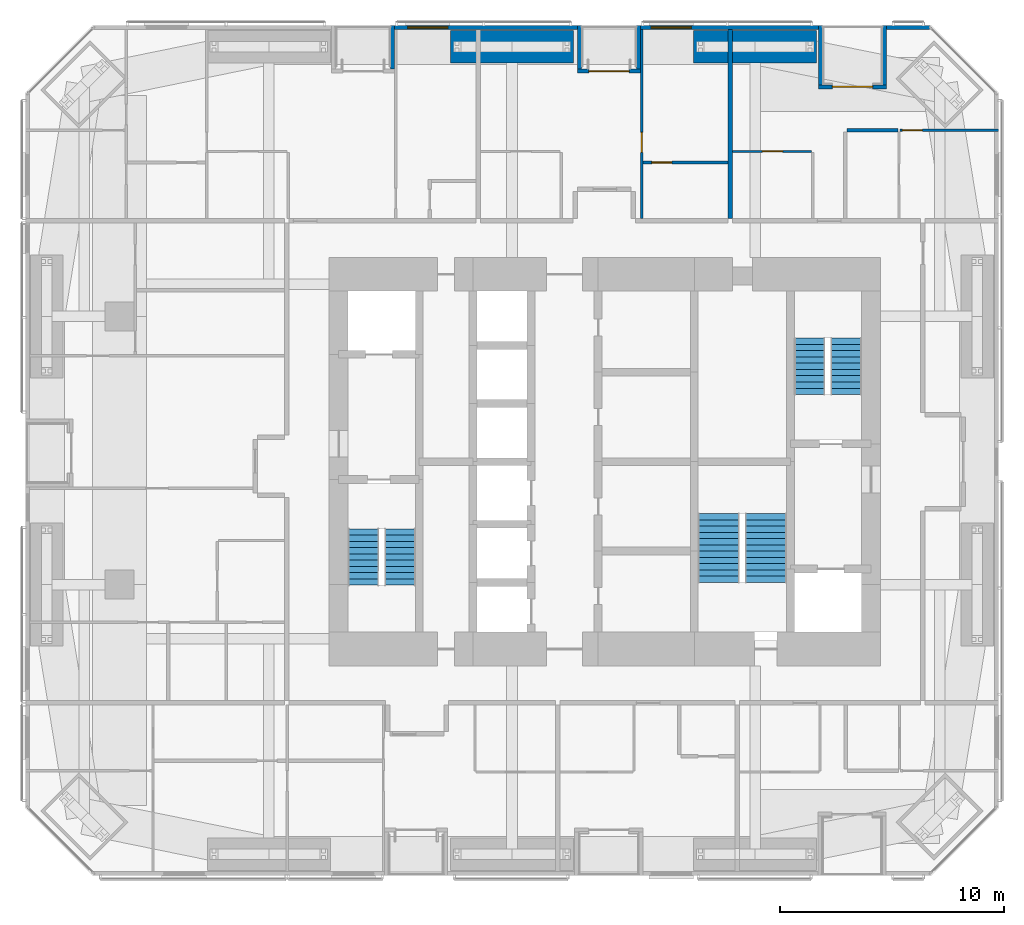
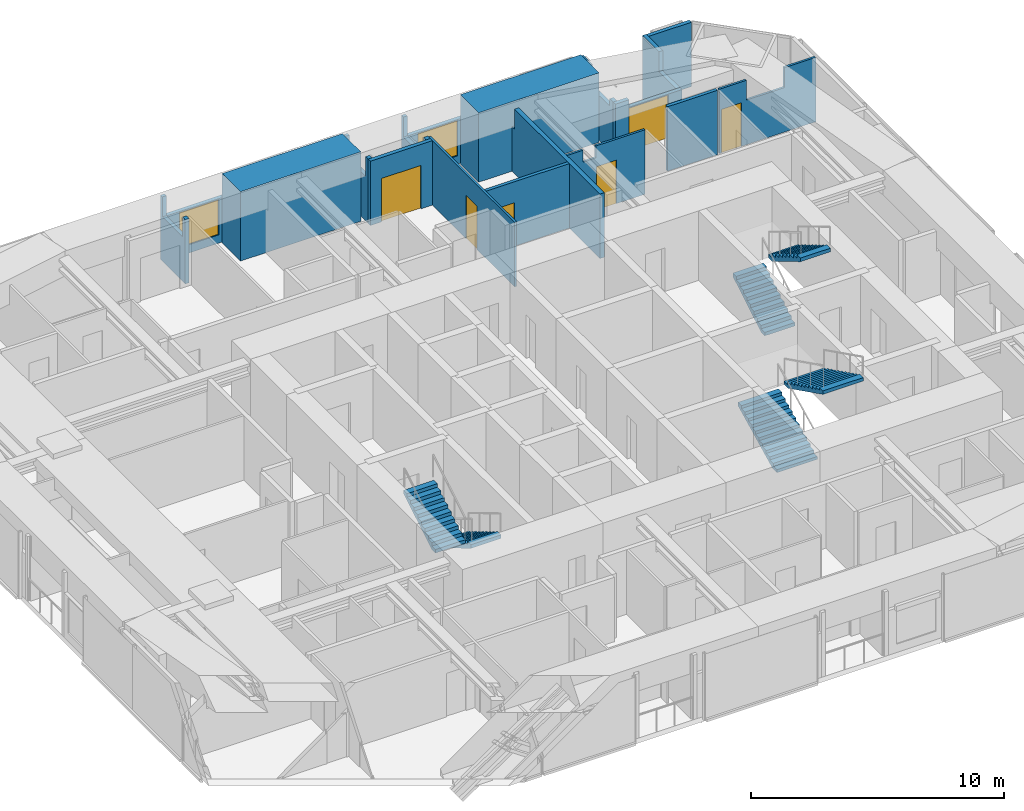
# One storey, part 22 of 23: 19 walls, 6 doors, 6 stair flights, 2 windows, 8 openings, 3 elements without a shape of their own.
"""IFC4 building model written with IfcOpenShell, lengths in metres."""

import ifcopenshell
import ifcopenshell.guid

model = None  # the IFC model being written
_history = None  # IfcOwnerHistory: only IFC2X3 demands one
_inside = {}  # id of a spatial element -> (the spatial element, [elements in it])
_under = {}  # id of a project, library or spatial element -> (it, [spatial elements below it])
_declared = {}  # id of a project -> (the project, [libraries it declares])
_typed = {}  # id of a type object -> (the type object, [elements of that type])
_made_of = {}  # id of a material, layer set ... -> (it, [elements and type objects made of it])


def new_model(schema):
    """Start an empty IFC model of exactly this schema.

    Asked for "IFC4X3", IfcOpenShell would pick the latest addendum, in which some entities
    have other attributes; the version numbers below select the first issue.
    IFC2X3 requires an IfcOwnerHistory on every rooted entity: one is made here for all.
    """
    global model, _history
    if schema == "IFC4X3":
        model = ifcopenshell.file(schema_version=(4, 3, 0, 0))
    else:
        model = ifcopenshell.file(schema=schema)
    _inside.clear()
    _under.clear()
    _declared.clear()
    _typed.clear()
    _made_of.clear()
    _history = None
    if model.schema == "IFC2X3":
        org = make("IfcOrganization", Name="unknown")
        user = make(
            "IfcPersonAndOrganization",
            ThePerson=make("IfcPerson", FamilyName="unknown"),
            TheOrganization=org,
        )
        app = make(
            "IfcApplication",
            ApplicationDeveloper=org,
            Version="unknown",
            ApplicationFullName="unknown",
            ApplicationIdentifier="unknown",
        )
        _history = make(
            "IfcOwnerHistory",
            OwningUser=user,
            OwningApplication=app,
            ChangeAction="ADDED",
            CreationDate=0,
        )
    return model


def make(cls, **values):
    """One entity of the class cls with the attributes given. An attribute that is None is left unset."""
    return model.create_entity(
        cls, **{name: value for name, value in values.items() if value is not None}
    )


def rooted(cls, **values):
    """An entity with a GlobalId (a new one), such as an element, a storey or a relation."""
    return make(cls, GlobalId=ifcopenshell.guid.new(), OwnerHistory=_history, **values)


def si_unit(unit_type, name, prefix=None):
    """IfcSIUnit, for example si_unit("LENGTHUNIT", "METRE", prefix="MILLI")."""
    return make("IfcSIUnit", UnitType=unit_type, Prefix=prefix, Name=name)


def assignment(units):
    """IfcUnitAssignment: the units of a project."""
    return None if units is None else make("IfcUnitAssignment", Units=units)


def point(xyz):
    """IfcCartesianPoint."""
    return None if xyz is None else make("IfcCartesianPoint", Coordinates=xyz)


def direction(xyz):
    """IfcDirection."""
    return None if xyz is None else make("IfcDirection", DirectionRatios=xyz)


def frame(location, z_axis=None, x_axis=None):
    """IfcAxis2Placement3D, a coordinate frame: its origin and axes. An axis left out is left unset."""
    return make(
        "IfcAxis2Placement3D",
        Location=point(location),
        Axis=direction(z_axis),
        RefDirection=direction(x_axis),
    )


def frame_2d(location, x_axis=None):
    """IfcAxis2Placement2D, a coordinate frame in the plane: its origin and x axis."""
    return make(
        "IfcAxis2Placement2D", Location=point(location), RefDirection=direction(x_axis)
    )


def origin():
    """The frame at (0, 0, 0) with its axes left unset."""
    return frame((0.0, 0.0, 0.0))


def place(relative_to, where):
    """IfcLocalPlacement: puts the frame where relative to a parent placement (None: the world)."""
    return make(
        "IfcLocalPlacement", PlacementRelTo=relative_to, RelativePlacement=where
    )


def context(
    kind, dimensions, precision=None, world=None, true_north=None, identifier=None
):
    """IfcGeometricRepresentationContext, for example the 3D "Model" context."""
    return make(
        "IfcGeometricRepresentationContext",
        ContextIdentifier=identifier,
        ContextType=kind,
        CoordinateSpaceDimension=dimensions,
        Precision=precision,
        WorldCoordinateSystem=world,
        TrueNorth=true_north,
    )


def subcontext(parent, identifier, kind, view, scale=None):
    """IfcGeometricRepresentationSubContext, for example "Body" below "Model"."""
    return make(
        "IfcGeometricRepresentationSubContext",
        ContextIdentifier=identifier,
        ContextType=kind,
        ParentContext=parent,
        TargetScale=scale,
        TargetView=view,
    )


def project(units=None, contexts=None):
    """IfcProject with its units and contexts."""
    return rooted(
        "IfcProject",
        Name="project",
        RepresentationContexts=contexts,
        UnitsInContext=assignment(units),
    )


def spatial(cls, under=None, at=None, **own):
    """A site, building, storey or space (cls), placed at a placement, below another one or the project."""
    s = rooted(cls, ObjectPlacement=at, **own)
    if under is not None:
        _under.setdefault(under.id(), (under, []))[1].append(s)
    return s


def polyline(points):
    """IfcPolyline through the points."""
    return make("IfcPolyline", Points=[point(p) for p in points])


def profile(cls, at=None, kind="AREA", **sizes):
    """A parametric profile (cls). Its sizes go by their IFC names, for example OverallWidth=200.0."""
    return make(cls, ProfileType=kind, Position=at, **sizes)


def rectangle(**sizes):
    """IfcRectangleProfileDef."""
    return profile("IfcRectangleProfileDef", **sizes)


def outline(outer, holes=None, kind="AREA"):
    """IfcArbitraryClosedProfileDef: a profile drawn as a closed curve; with holes, ...WithVoids."""
    if holes is None:
        return make("IfcArbitraryClosedProfileDef", ProfileType=kind, OuterCurve=outer)
    return make(
        "IfcArbitraryProfileDefWithVoids",
        ProfileType=kind,
        OuterCurve=outer,
        InnerCurves=holes,
    )


def extrude(swept, where, along, depth):
    """IfcExtrudedAreaSolid: the profile swept, set in the frame where, extruded along a direction by depth."""
    return make(
        "IfcExtrudedAreaSolid",
        SweptArea=swept,
        Position=where,
        ExtrudedDirection=direction(along),
        Depth=depth,
    )


def shape(context_of_items, identifier, shape_type, items):
    """IfcShapeRepresentation: the items that make up one representation, for example the "Body"."""
    return make(
        "IfcShapeRepresentation",
        ContextOfItems=context_of_items,
        RepresentationIdentifier=identifier,
        RepresentationType=shape_type,
        Items=items,
    )


def material(Name=None, Category=None):
    """IfcMaterial."""
    return make("IfcMaterial", Name=Name, Category=Category)


def layer(
    of_material, thickness, ventilated=None, Name=None, Category=None, Priority=None
):
    """IfcMaterialLayer: one layer of a wall or slab, of a material (None: an air gap)."""
    return make(
        "IfcMaterialLayer",
        Material=of_material,
        LayerThickness=thickness,
        IsVentilated=ventilated,
        Name=Name,
        Category=Category,
        Priority=Priority,
    )


def layer_set(layers, Name=None):
    """IfcMaterialLayerSet."""
    return make("IfcMaterialLayerSet", MaterialLayers=layers, LayerSetName=Name)


def constituent(of_material, Name=None, Category=None, fraction=None):
    """IfcMaterialConstituent: one of the materials an element consists of."""
    return make(
        "IfcMaterialConstituent",
        Name=Name,
        Material=of_material,
        Fraction=fraction,
        Category=Category,
    )


def constituent_set(constituents=None, Name=None):
    """IfcMaterialConstituentSet."""
    return make(
        "IfcMaterialConstituentSet", Name=Name, MaterialConstituents=constituents
    )


def made_of(thing, what):
    """Note that an element or type object is made of a material, layer set ...; save() writes the relation."""
    if what is not None:
        _made_of.setdefault(what.id(), (what, []))[1].append(thing)
    return thing


def type_object(cls, material=None, **own):
    """A type object (cls), such as IfcWallType, which elements share."""
    return made_of(rooted(cls, **own), material)


def element(
    cls,
    number,
    at=None,
    inside=None,
    cuts=None,
    type_object=None,
    material=None,
    context=None,
    identifier="Body",
    shape_type=None,
    held_by="IfcProductDefinitionShape",
    body=None,
    shapes=None,
    **own,
):
    """One element of the class cls, such as IfcWall. Its Tag is "e" and its number.

    at: its placement. inside: the storey or other place that contains it. cuts: it is an
    opening in that element (IfcRelVoidsElement). A single representation is given by context,
    identifier, shape_type and body (its items); several are given by shapes. held_by: the class
    of the entity that holds the representations. save() writes the other relations.
    """
    e = rooted(cls, Tag="e%d" % number, ObjectPlacement=at, **own)
    if body is not None:
        shapes = [shape(context, identifier, shape_type, body)]
    if shapes is not None:
        e.Representation = make(held_by, Representations=shapes)
    if inside is not None:
        _inside.setdefault(inside.id(), (inside, []))[1].append(e)
    if cuts is not None:
        rooted(
            "IfcRelVoidsElement", RelatingBuildingElement=cuts, RelatedOpeningElement=e
        )
    if type_object is not None:
        _typed.setdefault(type_object.id(), (type_object, []))[1].append(e)
    return made_of(e, material)


def fill(opening, filler):
    """IfcRelFillsElement: the door or window that sits in an opening."""
    return rooted(
        "IfcRelFillsElement",
        RelatingOpeningElement=opening,
        RelatedBuildingElement=filler,
    )


def aggregate(whole, parts):
    """IfcRelAggregates: a whole, such as a stair, and the parts it consists of."""
    return rooted("IfcRelAggregates", RelatingObject=whole, RelatedObjects=parts)


def save(model, path):
    """Write the relations noted so far, then the file.

    IfcRelAggregates (storeys below a building ...), IfcRelContainedInSpatialStructure (elements
    in a storey), IfcRelDefinesByType, IfcRelAssociatesMaterial and IfcRelDeclares: one each for
    every whole, place, type object, material and project.
    """
    for whole, parts in _under.values():
        aggregate(whole, parts)
    for where, things in _inside.values():
        rooted(
            "IfcRelContainedInSpatialStructure",
            RelatedElements=things,
            RelatingStructure=where,
        )
    for kind, things in _typed.values():
        rooted("IfcRelDefinesByType", RelatedObjects=things, RelatingType=kind)
    for what, things in _made_of.values():
        rooted("IfcRelAssociatesMaterial", RelatedObjects=things, RelatingMaterial=what)
    for by, libraries in _declared.values():
        rooted("IfcRelDeclares", RelatingContext=by, RelatedDefinitions=libraries)
    model.write(path)


model = new_model("IFC4")

# Units and contexts
model_context = context("Model", 3, precision=1e-05, world=origin(), true_north=direction((0.0, 1.0)))
body_context = subcontext(model_context, "Body", "Model", "MODEL_VIEW")
ifc_project = project(units=[si_unit("LENGTHUNIT", "METRE"), si_unit("AREAUNIT", "SQUARE_METRE"), si_unit("VOLUMEUNIT", "CUBIC_METRE"), si_unit("PLANEANGLEUNIT", "RADIAN"), si_unit("MASSUNIT", "GRAM", prefix="KILO")], contexts=[model_context])

# Site, building, storey
site_placement = place(None, origin())
site = spatial("IfcSite", under=ifc_project, at=site_placement, CompositionType="ELEMENT")
building_placement = place(site_placement, origin())
building = spatial("IfcBuilding", under=site, at=building_placement, Name="Jalousie Tower", CompositionType="ELEMENT")
storey_placement = place(building_placement, frame((0.0, 0.0, 88.10009765625)))
storey = spatial("IfcBuildingStorey", under=building, at=storey_placement, Name="L23", CompositionType="ELEMENT", Elevation=88.10009765625)

# Wall, opening, door
ifc_material_1 = material(Name="Concrete block ASTM C90", Category="concrete")
ifc_constituent_1 = constituent(ifc_material_1, Name="Body")
ifc_material_2 = material(Name="Render")
ifc_constituent_2 = constituent(ifc_material_2, Name="Finish")
ifc_constituent_set_1 = constituent_set(constituents=[ifc_constituent_1, ifc_constituent_2])
wall_type_1 = type_object("IfcWallType", Name="BATHROOM WALL 150", PredefinedType="PLUMBINGWALL", material=ifc_constituent_set_1)
wall_1_placement = place(storey_placement, frame((33.60009765625, 31.875, 0.0), z_axis=(0.0, 0.0, 1.0), x_axis=(1.0, 0.0, 0.0)))
wall_1 = element("IfcWall", 1, at=wall_1_placement, inside=storey, type_object=wall_type_1, Name="Bathroom Wall 150 L23", PredefinedType="PLUMBINGWALL", context=body_context, shape_type="SweptSolid", body=[
    extrude(rectangle(XDim=3.7998046875, YDim=0.14990234375, at=frame_2d((1.89990234375, 0.0))), origin(), (0.0, 0.0, 1.0), 3.10986328125),
])
opening_1_placement = place(wall_1_placement, frame((0.39990234375, 0.0, 0.0)))
opening_1 = element("IfcOpeningElement", 2, at=opening_1_placement, cuts=wall_1, Name="Opening D3", PredefinedType="OPENING", context=body_context, shape_type="SweptSolid", body=[
    extrude(rectangle(XDim=0.89990234375, YDim=2.10009765625, at=frame_2d((0.449951171875, 1.050048828125))), frame((0.0, 0.0849609375, 0.0), z_axis=(0.0, -1.0, 0.0), x_axis=(1.0, 0.0, 0.0)), (0.0, 0.0, 1.0), 0.169921875),
])
ifc_material_3 = material(Name="Timber door", Category="wood")
door_type_1 = type_object("IfcDoorType", Name="BATHROOM DOOR 900", OperationType="SINGLE_SWING_LEFT", PredefinedType="DOOR", material=ifc_material_3)
door_1_placement = place(opening_1_placement, frame((0.89990234375, 0.0, 0.0), z_axis=(0.0, 0.0, 1.0), x_axis=(-1.0, 0.0, 0.0)))
door_1 = element("IfcDoor", 3, at=door_1_placement, inside=storey, type_object=door_type_1, Name="Apartment 2305 bedroom 1 bathroom door", OperationType="SINGLE_SWING_RIGHT", OverallHeight=2.10009765625, OverallWidth=0.89990234375, PredefinedType="DOOR", context=body_context, shape_type="SweptSolid", body=[
    extrude(rectangle(XDim=0.89990234375, YDim=2.10009765625, at=frame_2d((0.449951171875, 1.050048828125))), frame((0.0, 0.02490234375, 0.0), z_axis=(0.0, -1.0, 0.0), x_axis=(1.0, 0.0, 0.0)), (0.0, 0.0, 1.0), 0.050048828125),
])
fill(opening_1, door_1)

# Walls
wall_2_placement = place(storey_placement, frame((42.72509765625, 33.32421875, 0.0), z_axis=(0.0, 0.0, 1.0), x_axis=(1.0, 0.0, 0.0)))
element("IfcWall", 4, at=wall_2_placement, inside=storey, type_object=wall_type_1, Name="Bathroom Wall 150 L23", PredefinedType="PLUMBINGWALL", context=body_context, shape_type="SweptSolid", body=[
    extrude(rectangle(XDim=2.27490234375, YDim=0.14990234375, at=frame_2d((1.137451171875, 0.0))), origin(), (0.0, 0.0, 1.0), 3.10986328125),
])
ifc_material_4 = material(Name="Concrete f'c 40 MPa", Category="concrete")
ifc_constituent_3 = constituent(ifc_material_4, Name="Body")
ifc_material_5 = material(Name="Render, pastel sea green")
ifc_constituent_4 = constituent(ifc_material_5, Name="Finish")
ifc_constituent_set_2 = constituent_set(constituents=[ifc_constituent_3, ifc_constituent_4])
wall_type_2 = type_object("IfcWallType", Name="EXTERNAL WALL 175 SEA GREEN RENDER", PredefinedType="SOLIDWALL", material=ifc_constituent_set_2)
wall_3_placement = place(storey_placement, frame((46.44873046875, 37.91259765625, 0.0), z_axis=(0.0, 0.0, 1.0), x_axis=(-1.0, 0.0, 0.0)))
element("IfcWall", 5, at=wall_3_placement, inside=storey, type_object=wall_type_2, Name="External Wall 175 Sea Green Render L23", PredefinedType="SOLIDWALL", context=body_context, shape_type="SweptSolid", body=[
    extrude(rectangle(XDim=1.949951171875, YDim=0.175048828125, at=frame_2d((0.97509765625, 0.0))), origin(), (0.0, 0.0, 1.0), 3.10986328125),
])

# Wall, opening, window
wall_4_placement = place(storey_placement, frame((41.44873046875, 37.91259765625, 0.0), z_axis=(0.0, 0.0, 1.0), x_axis=(-1.0, 0.0, 0.0)))
wall_4 = element("IfcWall", 6, at=wall_4_placement, inside=storey, type_object=wall_type_2, Name="External Wall 175 Sea Green Render L23", PredefinedType="SOLIDWALL", context=body_context, shape_type="SweptSolid", body=[
    extrude(outline(polyline([(0.0, 0.0), (7.94873046875, 0.0), (7.94873046875, 2.14990234375), (2.82373046875, 2.14990234375), (2.82373046875, 3.10986328125), (2.66552734375, 3.10986328125), (2.66552734375, 2.14990234375), (2.620361328125, 2.14990234375), (2.620361328125, 3.10986328125), (0.0, 3.10986328125), (0.0, 0.0)])), frame((0.0, 0.08740234375, 0.0), z_axis=(0.0, -1.0, 0.0), x_axis=(1.0, 0.0, 0.0)), (0.0, 0.0, 1.0), 0.175048828125),
])
opening_2_placement = place(wall_4_placement, frame((5.673583984375, 0.0, 0.39990234375)))
opening_2 = element("IfcOpeningElement", 7, at=opening_2_placement, cuts=wall_4, Name="Opening W-BED170", PredefinedType="OPENING", context=body_context, shape_type="SweptSolid", body=[
    extrude(rectangle(XDim=1.800048828125, YDim=1.699951171875, at=frame_2d((0.89990234375, 0.85009765625))), frame((0.0, 0.097412109375, 0.0), z_axis=(0.0, -1.0, 0.0), x_axis=(1.0, 0.0, 0.0)), (0.0, 0.0, 1.0), 0.195068359375),
])
ifc_material_6 = material(Name="Aluminium frame, impact-rated glazing", Category="aluminium")
window_type = type_object("IfcWindowType", Name="WINDOW BED 1800x1700", PartitioningType="SINGLE_PANEL", PredefinedType="WINDOW", material=ifc_material_6)
window_1_placement = place(opening_2_placement, origin())
window_1 = element("IfcWindow", 8, at=window_1_placement, inside=storey, type_object=window_type, Name="Apartment 2305 bedroom 1 window", OverallHeight=1.699951171875, OverallWidth=1.800048828125, PartitioningType="SINGLE_PANEL", PredefinedType="WINDOW", context=body_context, shape_type="SweptSolid", body=[
    extrude(rectangle(XDim=1.800048828125, YDim=1.699951171875, at=frame_2d((0.89990234375, 0.85009765625))), frame((0.0, 0.030029296875, 0.0), z_axis=(0.0, -1.0, 0.0), x_axis=(1.0, 0.0, 0.0)), (0.0, 0.0, 1.0), 0.06005859375),
])
fill(opening_2, window_1)

wall_5_placement = place(storey_placement, frame((30.675048828125, 37.91259765625, 0.0), z_axis=(0.0, 0.0, 1.0), x_axis=(-1.0, 0.0, 0.0)))
wall_5 = element("IfcWall", 9, at=wall_5_placement, inside=storey, type_object=wall_type_2, Name="External Wall 175 Sea Green Render L23", PredefinedType="SOLIDWALL", context=body_context, shape_type="SweptSolid", body=[
    extrude(rectangle(XDim=8.175048828125, YDim=0.175048828125, at=frame_2d((4.08740234375, 0.0))), origin(), (0.0, 0.0, 1.0), 2.14990234375),
])
opening_3_placement = place(wall_5_placement, frame((5.793701171875, 0.0, 0.39990234375)))
opening_3 = element("IfcOpeningElement", 10, at=opening_3_placement, cuts=wall_5, Name="Opening W-BED170", PredefinedType="OPENING", context=body_context, shape_type="SweptSolid", body=[
    extrude(rectangle(XDim=1.800048828125, YDim=1.699951171875, at=frame_2d((0.89990234375, 0.85009765625))), frame((0.0, 0.097412109375, 0.0), z_axis=(0.0, -1.0, 0.0), x_axis=(1.0, 0.0, 0.0)), (0.0, 0.0, 1.0), 0.195068359375),
])
window_2_placement = place(opening_3_placement, origin())
window_2 = element("IfcWindow", 11, at=window_2_placement, inside=storey, type_object=window_type, Name="Apartment 2304 study window", OverallHeight=1.699951171875, OverallWidth=1.800048828125, PartitioningType="SINGLE_PANEL", PredefinedType="WINDOW", context=body_context, shape_type="SweptSolid", body=[
    extrude(rectangle(XDim=1.800048828125, YDim=1.699951171875, at=frame_2d((0.89990234375, 0.85009765625))), frame((0.0, 0.030029296875, 0.0), z_axis=(0.0, -1.0, 0.0), x_axis=(1.0, 0.0, 0.0)), (0.0, 0.0, 1.0), 0.06005859375),
])
fill(opening_3, window_2)

# Wall, opening, door
wall_6_placement = place(storey_placement, frame((44.498779296875, 35.262451171875, 0.0), z_axis=(0.0, 0.0, 1.0), x_axis=(-1.0, 0.0, 0.0)))
wall_6 = element("IfcWall", 12, at=wall_6_placement, inside=storey, type_object=wall_type_2, Name="External Wall 175 Sea Green Render L23-A", PredefinedType="SOLIDWALL", context=body_context, shape_type="SweptSolid", body=[
    extrude(rectangle(XDim=2.425048828125, YDim=0.175048828125, at=frame_2d((1.21240234375, 0.0))), origin(), (0.0, 0.0, 1.0), 2.14990234375),
])
opening_4_placement = place(wall_6_placement, frame((0.625, 0.0, 0.0)))
opening_4 = element("IfcOpeningElement", 13, at=opening_4_placement, cuts=wall_6, Name="Opening D-BAL21", PredefinedType="OPENING", context=body_context, shape_type="SweptSolid", body=[
    extrude(rectangle(XDim=1.800048828125, YDim=2.10009765625, at=frame_2d((0.89990234375, 1.050048828125))), frame((0.0, 0.097412109375, 0.0), z_axis=(0.0, -1.0, 0.0), x_axis=(1.0, 0.0, 0.0)), (0.0, 0.0, 1.0), 0.195068359375),
])
ifc_material_7 = material(Name="Aluminium frame, impact-rated glazing", Category="aluminium")
door_type_2 = type_object("IfcDoorType", Name="BALCONY DOOR 1800x2100", OperationType="SLIDING_TO_LEFT", PredefinedType="DOOR", material=ifc_material_7)
door_2_placement = place(opening_4_placement, origin())
door_2 = element("IfcDoor", 14, at=door_2_placement, inside=storey, type_object=door_type_2, Name="Apartment 2306 living and dining room loggia door", OperationType="SLIDING_TO_LEFT", OverallHeight=2.10009765625, OverallWidth=1.800048828125, PredefinedType="DOOR", context=body_context, shape_type="SweptSolid", body=[
    extrude(rectangle(XDim=1.800048828125, YDim=2.10009765625, at=frame_2d((0.89990234375, 1.050048828125))), frame((0.0, 0.02490234375, 0.0), z_axis=(0.0, -1.0, 0.0), x_axis=(1.0, 0.0, 0.0)), (0.0, 0.0, 1.0), 0.050048828125),
])
fill(opening_4, door_2)

# Walls
wall_7_placement = place(storey_placement, frame((42.07373046875, 35.262451171875, 0.0), z_axis=(0.0, 0.0, 1.0), x_axis=(-1.0, 0.0, 0.0)))
element("IfcWall", 15, at=wall_7_placement, inside=storey, type_object=wall_type_2, Name="External Wall 175 Sea Green Render L23-B", PredefinedType="SOLIDWALL", context=body_context, shape_type="SweptSolid", body=[
    extrude(rectangle(XDim=0.625, YDim=0.175048828125, at=frame_2d((0.3125, 0.0))), origin(), (0.0, 0.0, 1.0), 2.510009765625),
])
wall_8_placement = place(storey_placement, frame((44.4111328125, 38.0, 0.0), z_axis=(0.0, 0.0, 1.0), x_axis=(0.0, -1.0, 0.0)))
element("IfcWall", 16, at=wall_8_placement, inside=storey, type_object=wall_type_2, Name="External Wall 175 Sea Green Render L23", PredefinedType="SOLIDWALL", context=body_context, shape_type="SweptSolid", body=[
    extrude(outline(polyline([(0.0, 0.0), (2.64990234375, 0.0), (2.64990234375, 2.14990234375), (1.2958984375, 2.14990234375), (1.2958984375, 3.10986328125), (0.0, 3.10986328125), (0.0, 0.0)])), frame((0.0, 0.08740234375, 0.0), z_axis=(0.0, -1.0, 0.0), x_axis=(1.0, 0.0, 0.0)), (0.0, 0.0, 1.0), 0.175048828125),
])
wall_9_placement = place(storey_placement, frame((41.5361328125, 38.0, 0.0), z_axis=(0.0, 0.0, 1.0), x_axis=(0.0, -1.0, 0.0)))
element("IfcWall", 17, at=wall_9_placement, inside=storey, type_object=wall_type_2, Name="External Wall 175 Sea Green Render L23", PredefinedType="SOLIDWALL", context=body_context, shape_type="SweptSolid", body=[
    extrude(outline(polyline([(0.0, 0.0), (2.64990234375, 0.0), (2.64990234375, 2.510009765625), (2.378173828125, 2.510009765625), (2.378173828125, 2.14990234375), (0.70947265625, 2.14990234375), (0.70947265625, 3.10986328125), (0.0, 3.10986328125), (0.0, 0.0)])), frame((0.0, 0.08740234375, 0.0), z_axis=(0.0, -1.0, 0.0), x_axis=(1.0, 0.0, 0.0)), (0.0, 0.0, 1.0), 0.175048828125),
])

# Wall, opening, door
wall_10_placement = place(storey_placement, frame((33.5, 35.96240234375, 0.0), z_axis=(0.0, 0.0, 1.0), x_axis=(-1.0, 0.0, 0.0)))
wall_10 = element("IfcWall", 18, at=wall_10_placement, inside=storey, type_object=wall_type_2, Name="External Wall 175 Sea Green Render L23", PredefinedType="SOLIDWALL", context=body_context, shape_type="SweptSolid", body=[
    extrude(rectangle(XDim=2.824951171875, YDim=0.175048828125, at=frame_2d((1.41259765625, 0.0))), origin(), (0.0, 0.0, 1.0), 3.10986328125),
])
opening_5_placement = place(wall_10_placement, frame((0.512451171875, 0.0, 0.0)))
opening_5 = element("IfcOpeningElement", 19, at=opening_5_placement, cuts=wall_10, Name="Opening D-BAL21", PredefinedType="OPENING", context=body_context, shape_type="SweptSolid", body=[
    extrude(rectangle(XDim=1.800048828125, YDim=2.10009765625, at=frame_2d((0.89990234375, 1.050048828125))), frame((0.0, 0.097412109375, 0.0), z_axis=(0.0, -1.0, 0.0), x_axis=(1.0, 0.0, 0.0)), (0.0, 0.0, 1.0), 0.195068359375),
])
door_3_placement = place(opening_5_placement, origin())
door_3 = element("IfcDoor", 20, at=door_3_placement, inside=storey, type_object=door_type_2, Name="Apartment 2305 living and dining room loggia door", OperationType="SLIDING_TO_LEFT", OverallHeight=2.10009765625, OverallWidth=1.800048828125, PredefinedType="DOOR", context=body_context, shape_type="SweptSolid", body=[
    extrude(rectangle(XDim=1.800048828125, YDim=2.10009765625, at=frame_2d((0.89990234375, 1.050048828125))), frame((0.0, 0.02490234375, 0.0), z_axis=(0.0, -1.0, 0.0), x_axis=(1.0, 0.0, 0.0)), (0.0, 0.0, 1.0), 0.050048828125),
])
fill(opening_5, door_3)

# Walls
for number, where, z_axis, x_axis, name in (
    (21, (33.41259765625, 38.0, 0.0), (0.0, 0.0, 1.0), (0.0, -1.0, 0.0), "External Wall 175 Sea Green Render L23"),
    (22, (30.762451171875, 38.0, 0.0), (0.0, 0.0, 1.0), (0.0, -1.0, 0.0), "External Wall 175 Sea Green Render L23"),
    (23, (22.41259765625, 38.0, 0.0), (0.0, 0.0, 1.0), (0.0, -1.0, 0.0), "External Wall 175 Sea Green Render L23"),
):
    element("IfcWall", number, at=place(storey_placement, frame(where, z_axis=z_axis, x_axis=x_axis)), inside=storey, type_object=wall_type_2, Name=name, PredefinedType="SOLIDWALL", context=body_context, shape_type="SweptSolid", body=[
        extrude(outline(polyline([(0.0, 0.0), (1.949951171875, 0.0), (1.949951171875, 3.10986328125), (1.75, 3.10986328125), (1.75, 2.14990234375), (0.14990234375, 2.14990234375), (0.14990234375, 3.10986328125), (0.0, 3.10986328125), (0.0, 0.0)])), frame((0.0, 0.08740234375, 0.0), z_axis=(0.0, -1.0, 0.0), x_axis=(1.0, 0.0, 0.0)), (0.0, 0.0, 1.0), 0.175048828125),
    ])

# Wall, opening, door
ifc_material_8 = material(Name="Gypsum board", Category="gypsum")
ifc_constituent_5 = constituent(ifc_material_8, Name="Body")
ifc_material_9 = material(Name="Light-gauge steel studs ASTM A653 SS Grade 33", Category="steel")
ifc_constituent_6 = constituent(ifc_material_9, Name="Framing")
ifc_constituent_set_3 = constituent_set(constituents=[ifc_constituent_5, ifc_constituent_6])
wall_type_3 = type_object("IfcWallType", Name="PARTITION 100", PredefinedType="PARTITIONING", material=ifc_constituent_set_3)
wall_11_placement = place(storey_placement, frame((33.550048828125, 37.824951171875, 0.0), z_axis=(0.0, 0.0, 1.0), x_axis=(0.0, -1.0, 0.0)))
wall_11 = element("IfcWall", 24, at=wall_11_placement, inside=storey, type_object=wall_type_3, Name="Partition 100 L23", PredefinedType="PARTITIONING", context=body_context, shape_type="SweptSolid", body=[
    extrude(outline(polyline([(0.0, 0.0), (8.449951171875, 0.0), (8.449951171875, 3.10986328125), (1.635009765625, 3.10986328125), (1.635009765625, 2.14990234375), (0.0, 2.14990234375), (0.0, 3.10986328125), (0.0, 0.0)])), frame((0.0, 0.050048828125, 0.0), z_axis=(0.0, -1.0, 0.0), x_axis=(1.0, 0.0, 0.0)), (0.0, 0.0, 1.0), 0.10009765625),
])
opening_6_placement = place(wall_11_placement, frame((4.60009765625, 0.0, 0.0)))
opening_6 = element("IfcOpeningElement", 25, at=opening_6_placement, cuts=wall_11, Name="Opening D2", PredefinedType="OPENING", context=body_context, shape_type="SweptSolid", body=[
    extrude(rectangle(XDim=0.89990234375, YDim=2.10009765625, at=frame_2d((0.449951171875, 1.050048828125))), frame((0.0, 0.06005859375, 0.0), z_axis=(0.0, -1.0, 0.0), x_axis=(1.0, 0.0, 0.0)), (0.0, 0.0, 1.0), 0.1201171875),
])
ifc_material_10 = material(Name="Timber door", Category="wood")
door_type_3 = type_object("IfcDoorType", Name="BEDROOM DOOR 900", OperationType="SINGLE_SWING_LEFT", PredefinedType="DOOR", material=ifc_material_10)
door_4_placement = place(opening_6_placement, origin())
door_4 = element("IfcDoor", 26, at=door_4_placement, inside=storey, type_object=door_type_3, Name="Apartment 2305 bedroom 1 door", OperationType="SINGLE_SWING_RIGHT", OverallHeight=2.10009765625, OverallWidth=0.89990234375, PredefinedType="DOOR", context=body_context, shape_type="SweptSolid", body=[
    extrude(rectangle(XDim=0.89990234375, YDim=2.10009765625, at=frame_2d((0.449951171875, 1.050048828125))), frame((0.0, 0.02490234375, 0.0), z_axis=(0.0, -1.0, 0.0), x_axis=(1.0, 0.0, 0.0)), (0.0, 0.0, 1.0), 0.050048828125),
])
fill(opening_6, door_4)

wall_12_placement = place(storey_placement, frame((45.10009765625, 33.32421875, 0.0), z_axis=(0.0, 0.0, 1.0), x_axis=(1.0, 0.0, 0.0)))
wall_12 = element("IfcWall", 27, at=wall_12_placement, inside=storey, type_object=wall_type_3, Name="Partition 100 L23", PredefinedType="PARTITIONING", context=body_context, shape_type="SweptSolid", body=[
    extrude(outline(polyline([(0.0, 0.0), (4.39990234375, 0.0), (4.39990234375, 3.10986328125), (2.971435546875, 3.10986328125), (2.971435546875, 2.14990234375), (1.22900390625, 2.14990234375), (1.22900390625, 3.10986328125), (0.0, 3.10986328125), (0.0, 0.0)])), frame((0.0, 0.050048828125, 0.0), z_axis=(0.0, -1.0, 0.0), x_axis=(1.0, 0.0, 0.0)), (0.0, 0.0, 1.0), 0.10009765625),
])
opening_7_placement = place(wall_12_placement, frame((0.10009765625, 0.0, 0.0)))
opening_7 = element("IfcOpeningElement", 28, at=opening_7_placement, cuts=wall_12, Name="Opening D2", PredefinedType="OPENING", context=body_context, shape_type="SweptSolid", body=[
    extrude(rectangle(XDim=0.89990234375, YDim=2.10009765625, at=frame_2d((0.449951171875, 1.050048828125))), frame((0.0, 0.06005859375, 0.0), z_axis=(0.0, -1.0, 0.0), x_axis=(1.0, 0.0, 0.0)), (0.0, 0.0, 1.0), 0.1201171875),
])
door_5_placement = place(opening_7_placement, frame((0.89990234375, 0.0, 0.0), z_axis=(0.0, 0.0, 1.0), x_axis=(-1.0, 0.0, 0.0)))
door_5 = element("IfcDoor", 29, at=door_5_placement, inside=storey, type_object=door_type_3, Name="Apartment 2306 bedroom 1 door", OperationType="SINGLE_SWING_RIGHT", OverallHeight=2.10009765625, OverallWidth=0.89990234375, PredefinedType="DOOR", context=body_context, shape_type="SweptSolid", body=[
    extrude(rectangle(XDim=0.89990234375, YDim=2.10009765625, at=frame_2d((0.449951171875, 1.050048828125))), frame((0.0, 0.02490234375, 0.0), z_axis=(0.0, -1.0, 0.0), x_axis=(1.0, 0.0, 0.0)), (0.0, 0.0, 1.0), 0.050048828125),
])
fill(opening_7, door_5)

wall_13_placement = place(storey_placement, frame((37.60009765625, 32.375, 0.0), z_axis=(0.0, 0.0, 1.0), x_axis=(1.0, 0.0, 0.0)))
wall_13 = element("IfcWall", 30, at=wall_13_placement, inside=storey, type_object=wall_type_3, Name="Partition 100 L23", PredefinedType="PARTITIONING", context=body_context, shape_type="SweptSolid", body=[
    extrude(outline(polyline([(0.0, 0.0), (3.5498046875, 0.0), (3.550048828125, 3.10986328125), (1.3212890625, 3.10986328125), (1.3212890625, 2.53076171875), (0.728759765625, 2.53076171875), (0.728759765625, 3.10986328125), (0.0, 3.10986328125), (0.0, 0.0)])), frame((0.0, 0.050048828125, 0.0), z_axis=(0.0, -1.0, 0.0), x_axis=(1.0, 0.0, 0.0)), (0.0, 0.0, 1.0), 0.10009765625),
])
opening_8_placement = place(wall_13_placement, frame((1.35009765625, 0.0, 0.0)))
opening_8 = element("IfcOpeningElement", 31, at=opening_8_placement, cuts=wall_13, Name="Opening D7", PredefinedType="OPENING", context=body_context, shape_type="SweptSolid", body=[
    extrude(rectangle(XDim=0.89990234375, YDim=2.10009765625, at=frame_2d((0.449951171875, 1.050048828125))), frame((0.0, 0.06005859375, 0.0), z_axis=(0.0, -1.0, 0.0), x_axis=(1.0, 0.0, 0.0)), (0.0, 0.0, 1.0), 0.1201171875),
])
ifc_material_11 = material(Name="Timber door", Category="wood")
door_type_4 = type_object("IfcDoorType", Name="INTERNAL DOOR 900", OperationType="SINGLE_SWING_LEFT", PredefinedType="DOOR", material=ifc_material_11)
door_6_placement = place(opening_8_placement, origin())
door_6 = element("IfcDoor", 32, at=door_6_placement, inside=storey, type_object=door_type_4, Name="Apartment 2306 kitchen door", OperationType="SINGLE_SWING_LEFT", OverallHeight=2.10009765625, OverallWidth=0.89990234375, PredefinedType="DOOR", context=body_context, shape_type="SweptSolid", body=[
    extrude(rectangle(XDim=0.89990234375, YDim=2.10009765625, at=frame_2d((0.449951171875, 1.050048828125))), frame((0.0, 0.02490234375, 0.0), z_axis=(0.0, -1.0, 0.0), x_axis=(1.0, 0.0, 0.0)), (0.0, 0.0, 1.0), 0.050048828125),
])
fill(opening_8, door_6)

# Walls
ifc_material_12 = material(Name="Concrete block ASTM C90", Category="concrete")
ifc_constituent_7 = constituent(ifc_material_12, Name="Body")
ifc_material_13 = material(Name="Render")
ifc_constituent_8 = constituent(ifc_material_13, Name="Finish")
ifc_constituent_set_4 = constituent_set(constituents=[ifc_constituent_7, ifc_constituent_8])
wall_type_4 = type_object("IfcWallType", Name="PARTY WALL 200", PredefinedType="PARTITIONING", material=ifc_constituent_set_4)
wall_14_placement = place(storey_placement, frame((37.5, 37.824951171875, 0.0), z_axis=(0.0, 0.0, 1.0), x_axis=(0.0, -1.0, 0.0)))
element("IfcWall", 33, at=wall_14_placement, inside=storey, type_object=wall_type_4, Name="Party Wall 200 L23", PredefinedType="PARTITIONING", context=body_context, shape_type="SweptSolid", body=[
    extrude(outline(polyline([(0.5263671875, 2.14990234375), (0.0, 2.14990234375), (0.0, 0.0), (0.5263671875, 0.0), (0.5263671875, 0.747314453125), (1.023681640625, 0.747314453125), (1.023681640625, 0.0), (8.449951171875, 0.0), (8.449951171875, 3.10986328125), (1.68505859375, 3.10986328125), (1.68505859375, 2.14990234375), (1.023681640625, 2.14990234375), (1.023681640625, 1.402587890625), (0.5263671875, 1.402587890625), (0.5263671875, 2.14990234375)])), frame((0.0, 0.10009765625, 0.0), z_axis=(0.0, -1.0, 0.0), x_axis=(1.0, 0.0, 0.0)), (0.0, 0.0, 1.0), 0.199951171875),
])
ifc_material_14 = material(Name="Concrete f'c 120 MPa", Category="concrete")
ifc_layer = layer(ifc_material_14, 1.449951171875)
ifc_layer_set = layer_set([ifc_layer], Name="Concrete f'c 120 MPa")
wall_type_5 = type_object("IfcWallType", Name="RC WALL PIER 1450", PredefinedType="SHEAR", material=ifc_layer_set)
for number, where, z_axis, x_axis, name in (
    (34, (35.875, 37.050048828125, 0.0), (0.0, 0.0, 1.0), (1.0, 0.0, 0.0), "Wall pier 09 L23"),
    (35, (25.0, 37.050048828125, 0.0), (0.0, 0.0, 1.0), (1.0, 0.0, 0.0), "Wall pier 10 L23"),
):
    element("IfcWall", number, at=place(storey_placement, frame(where, z_axis=z_axis, x_axis=x_axis)), inside=storey, type_object=wall_type_5, Name=name, PredefinedType="SHEAR", context=body_context, shape_type="SweptSolid", body=[
        extrude(rectangle(XDim=5.5, YDim=1.449951171875, at=frame_2d((2.75, 0.0))), origin(), (0.0, 0.0, 1.0), 3.349853515625),
    ])

# Stair, stair flights
ifc_material_15 = material(Name="Concrete f'c 40 MPa", Category="concrete")
stair_type = type_object("IfcStairType", Name="EXIT STAIR", PredefinedType="HALF_TURN_STAIR", material=ifc_material_15)
stair_1_placement = place(storey_placement, origin())
stair_1 = element("IfcStair", 36, at=stair_1_placement, inside=storey, type_object=stair_type, Name="Exit stair A L23", PredefinedType="HALF_TURN_STAIR")
ifc_material_16 = material(Name="Concrete f'c 40 MPa", Category="concrete")
stair_flight_type = type_object("IfcStairFlightType", Name="STAIR FLIGHT", PredefinedType="STRAIGHT", material=ifc_material_16)
stair_flight_1_placement = place(storey_placement, frame((22.737548828125, 15.49755859375, 0.0), z_axis=(0.0, 0.0, 1.0), x_axis=(0.0, -1.0, 0.0)))
stair_flight_1 = element("IfcStairFlight", 37, at=stair_flight_1_placement, type_object=stair_flight_type, Name="ST-A flight 1", NumberOfRisers=10, NumberOfTreads=9, PredefinedType="STRAIGHT", RiserHeight=0.1675, TreadLength=0.28, context=body_context, shape_type="SweptSolid", body=[
    extrude(outline(polyline([(0.0, 0.0), (0.0, 0.16748046875), (0.280029296875, 0.16748046875), (0.280029296875, 0.3349609375), (0.56005859375, 0.3349609375), (0.56005859375, 0.50244140625), (0.840087890625, 0.50244140625), (0.840087890625, 0.669921875), (1.1201171875, 0.669921875), (1.1201171875, 0.83740234375), (1.39990234375, 0.83740234375), (1.39990234375, 1.0048828125), (1.679931640625, 1.0048828125), (1.679931640625, 1.172607421875), (1.9599609375, 1.172607421875), (1.9599609375, 1.340087890625), (2.239990234375, 1.340087890625), (2.239990234375, 1.507568359375), (2.52001953125, 1.507568359375), (2.52001953125, 1.675048828125), (2.52001953125, 1.332763671875), (0.2919921875, 0.0), (0.0, 0.0)])), frame((0.0, 0.6875, 0.0), z_axis=(0.0, -1.0, 0.0), x_axis=(1.0, 0.0, 0.0)), (0.0, 0.0, 1.0), 1.375),
])
stair_flight_2_placement = place(storey_placement, frame((21.112548828125, 12.9775390625, 1.6748046875), z_axis=(0.0, 0.0, 1.0), x_axis=(0.0, 1.0, 0.0)))
stair_flight_2 = element("IfcStairFlight", 38, at=stair_flight_2_placement, type_object=stair_flight_type, Name="ST-A flight 2", NumberOfRisers=10, NumberOfTreads=9, PredefinedType="STRAIGHT", RiserHeight=0.1675, TreadLength=0.28, context=body_context, shape_type="SweptSolid", body=[
    extrude(outline(polyline([(0.0, 0.0), (0.0, 0.16748046875), (0.280029296875, 0.16748046875), (0.280029296875, 0.3349609375), (0.56005859375, 0.3349609375), (0.56005859375, 0.50244140625), (0.840087890625, 0.50244140625), (0.840087890625, 0.669921875), (1.1201171875, 0.669921875), (1.1201171875, 0.83740234375), (1.39990234375, 0.83740234375), (1.39990234375, 1.0048828125), (1.679931640625, 1.0048828125), (1.679931640625, 1.172607421875), (1.9599609375, 1.172607421875), (1.9599609375, 1.340087890625), (2.239990234375, 1.340087890625), (2.239990234375, 1.507568359375), (2.52001953125, 1.507568359375), (2.52001953125, 1.675048828125), (2.52001953125, 1.332763671875), (0.2919921875, 0.0), (0.0, 0.0)])), frame((0.0, 0.6875, 0.0), z_axis=(0.0, -1.0, 0.0), x_axis=(1.0, 0.0, 0.0)), (0.0, 0.0, 1.0), 1.375),
])
aggregate(stair_1, [stair_flight_1, stair_flight_2])

stair_2_placement = place(storey_placement, origin())
stair_2 = element("IfcStair", 39, at=stair_2_placement, inside=storey, type_object=stair_type, Name="Exit stair B L23", PredefinedType="HALF_TURN_STAIR")
stair_flight_3_placement = place(storey_placement, frame((41.0625, 21.50244140625, 0.0), z_axis=(0.0, 0.0, 1.0), x_axis=(0.0, 1.0, 0.0)))
stair_flight_3 = element("IfcStairFlight", 40, at=stair_flight_3_placement, type_object=stair_flight_type, Name="ST-B flight 1", NumberOfRisers=10, NumberOfTreads=9, PredefinedType="STRAIGHT", RiserHeight=0.1675, TreadLength=0.28, context=body_context, shape_type="SweptSolid", body=[
    extrude(outline(polyline([(0.0, 0.0), (0.0, 0.16748046875), (0.280029296875, 0.16748046875), (0.280029296875, 0.3349609375), (0.56005859375, 0.3349609375), (0.56005859375, 0.50244140625), (0.840087890625, 0.50244140625), (0.840087890625, 0.669921875), (1.1201171875, 0.669921875), (1.1201171875, 0.83740234375), (1.39990234375, 0.83740234375), (1.39990234375, 1.0048828125), (1.679931640625, 1.0048828125), (1.679931640625, 1.172607421875), (1.9599609375, 1.172607421875), (1.9599609375, 1.340087890625), (2.239990234375, 1.340087890625), (2.239990234375, 1.507568359375), (2.52001953125, 1.507568359375), (2.52001953125, 1.675048828125), (2.52001953125, 1.332763671875), (0.2919921875, 0.0), (0.0, 0.0)])), frame((0.0, 0.6875, 0.0), z_axis=(0.0, -1.0, 0.0), x_axis=(1.0, 0.0, 0.0)), (0.0, 0.0, 1.0), 1.375),
])
stair_flight_4_placement = place(storey_placement, frame((42.6875, 24.0224609375, 1.6748046875), z_axis=(0.0, 0.0, 1.0), x_axis=(0.0, -1.0, 0.0)))
stair_flight_4 = element("IfcStairFlight", 41, at=stair_flight_4_placement, type_object=stair_flight_type, Name="ST-B flight 2", NumberOfRisers=10, NumberOfTreads=9, PredefinedType="STRAIGHT", RiserHeight=0.1675, TreadLength=0.28, context=body_context, shape_type="SweptSolid", body=[
    extrude(outline(polyline([(0.0, 0.0), (0.0, 0.16748046875), (0.280029296875, 0.16748046875), (0.280029296875, 0.3349609375), (0.56005859375, 0.3349609375), (0.56005859375, 0.50244140625), (0.840087890625, 0.50244140625), (0.840087890625, 0.669921875), (1.1201171875, 0.669921875), (1.1201171875, 0.83740234375), (1.39990234375, 0.83740234375), (1.39990234375, 1.0048828125), (1.679931640625, 1.0048828125), (1.679931640625, 1.172607421875), (1.9599609375, 1.172607421875), (1.9599609375, 1.340087890625), (2.239990234375, 1.340087890625), (2.239990234375, 1.507568359375), (2.52001953125, 1.507568359375), (2.52001953125, 1.675048828125), (2.52001953125, 1.332763671875), (0.2919921875, 0.0), (0.0, 0.0)])), frame((0.0, 0.6875, 0.0), z_axis=(0.0, -1.0, 0.0), x_axis=(1.0, 0.0, 0.0)), (0.0, 0.0, 1.0), 1.375),
])
aggregate(stair_2, [stair_flight_3, stair_flight_4])

stair_3_placement = place(storey_placement, origin())
stair_3 = element("IfcStair", 42, at=stair_3_placement, inside=storey, type_object=stair_type, Name="Exit stair C L23", PredefinedType="HALF_TURN_STAIR")
stair_flight_5_placement = place(storey_placement, frame((37.0, 13.097412109375, 0.0), z_axis=(0.0, 0.0, 1.0), x_axis=(0.0, 1.0, 0.0)))
stair_flight_5 = element("IfcStairFlight", 43, at=stair_flight_5_placement, type_object=stair_flight_type, Name="ST-C flight 1", NumberOfRisers=12, NumberOfTreads=11, PredefinedType="STRAIGHT", RiserHeight=0.139583333, TreadLength=0.28, context=body_context, shape_type="SweptSolid", body=[
    extrude(outline(polyline([(0.0, 0.0), (0.0, 0.1396484375), (0.280029296875, 0.1396484375), (0.280029296875, 0.279052734375), (0.56005859375, 0.279052734375), (0.56005859375, 0.418701171875), (0.840087890625, 0.418701171875), (0.840087890625, 0.558349609375), (1.1201171875, 0.558349609375), (1.1201171875, 0.697998046875), (1.39990234375, 0.697998046875), (1.39990234375, 0.83740234375), (1.679931640625, 0.83740234375), (1.679931640625, 0.97705078125), (1.9599609375, 0.97705078125), (1.9599609375, 1.11669921875), (2.239990234375, 1.11669921875), (2.239990234375, 1.25634765625), (2.52001953125, 1.25634765625), (2.52001953125, 1.395751953125), (2.800048828125, 1.395751953125), (2.800048828125, 1.535400390625), (3.080078125, 1.535400390625), (3.080078125, 1.675048828125), (3.080078125, 1.367919921875), (0.3359375, 0.0), (0.0, 0.0)])), frame((0.0, 0.925048828125, 0.0), z_axis=(0.0, -1.0, 0.0), x_axis=(1.0, 0.0, 0.0)), (0.0, 0.0, 1.0), 1.85009765625),
])
stair_flight_6_placement = place(storey_placement, frame((39.10009765625, 16.177490234375, 1.6748046875), z_axis=(0.0, 0.0, 1.0), x_axis=(0.0, -1.0, 0.0)))
stair_flight_6 = element("IfcStairFlight", 44, at=stair_flight_6_placement, type_object=stair_flight_type, Name="ST-C flight 2", NumberOfRisers=12, NumberOfTreads=11, PredefinedType="STRAIGHT", RiserHeight=0.139583333, TreadLength=0.28, context=body_context, shape_type="SweptSolid", body=[
    extrude(outline(polyline([(0.0, 0.0), (0.0, 0.1396484375), (0.280029296875, 0.1396484375), (0.280029296875, 0.279052734375), (0.56005859375, 0.279052734375), (0.56005859375, 0.418701171875), (0.840087890625, 0.418701171875), (0.840087890625, 0.558349609375), (1.1201171875, 0.558349609375), (1.1201171875, 0.697998046875), (1.39990234375, 0.697998046875), (1.39990234375, 0.83740234375), (1.679931640625, 0.83740234375), (1.679931640625, 0.97705078125), (1.9599609375, 0.97705078125), (1.9599609375, 1.11669921875), (2.239990234375, 1.11669921875), (2.239990234375, 1.25634765625), (2.52001953125, 1.25634765625), (2.52001953125, 1.395751953125), (2.800048828125, 1.395751953125), (2.800048828125, 1.535400390625), (3.080078125, 1.535400390625), (3.080078125, 1.675048828125), (3.080078125, 1.367919921875), (0.3359375, 0.0), (0.0, 0.0)])), frame((0.0, 0.925048828125, 0.0), z_axis=(0.0, -1.0, 0.0), x_axis=(1.0, 0.0, 0.0)), (0.0, 0.0, 1.0), 1.85009765625),
])
aggregate(stair_3, [stair_flight_5, stair_flight_6])

save(model, "model.ifc")
